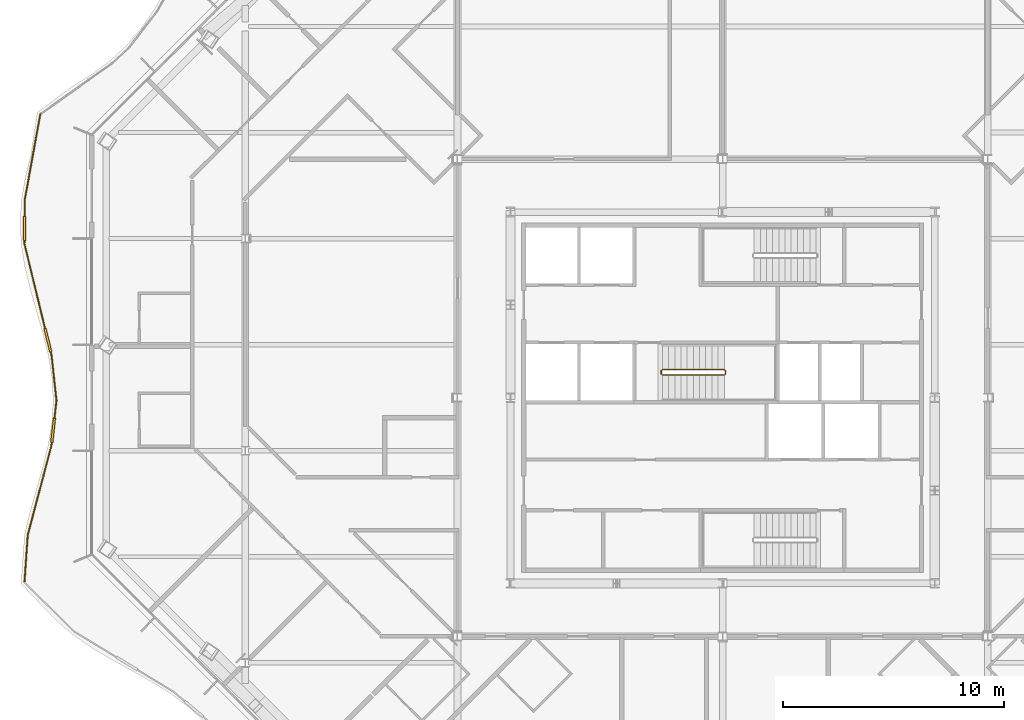
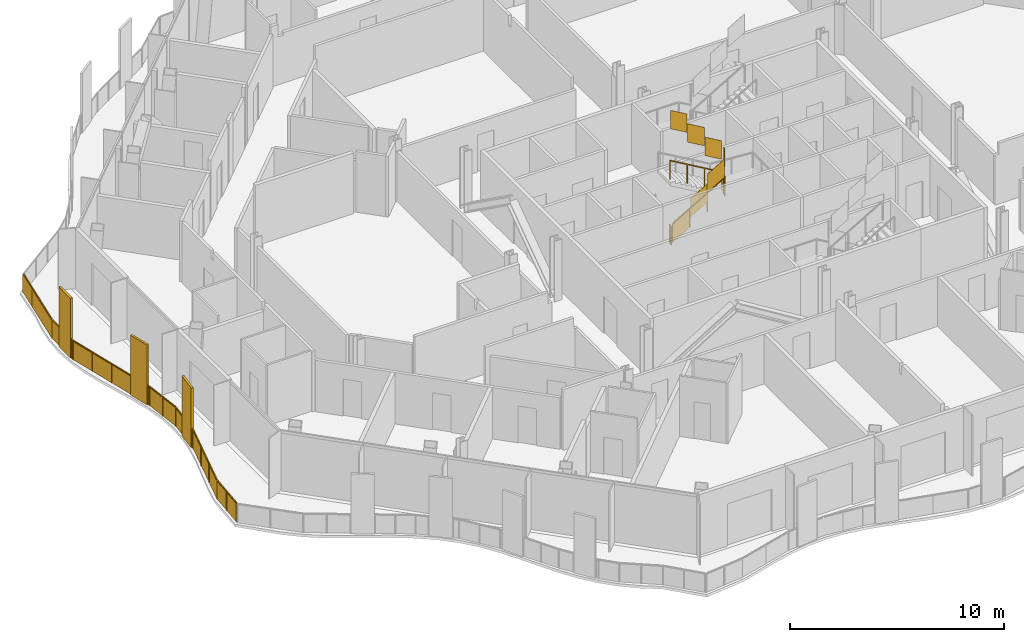
# One storey, part 17 of 21: 3 railings.
"""IFC4 building model written with IfcOpenShell, lengths in metres."""

from ifc_helpers import new_model, si_unit, direction, frame, origin, origin_2d, place, context, subcontext, project, spatial, polyline, rectangle, outline, extrude, material, type_object, element, save


model = new_model("IFC4")

# Units and contexts
model_context = context("Model", 3, precision=1e-05, world=origin(), true_north=direction((0.0, 1.0)))
body_context = subcontext(model_context, "Body", "Model", "MODEL_VIEW")
ifc_project = project(units=[si_unit("LENGTHUNIT", "METRE"), si_unit("AREAUNIT", "SQUARE_METRE"), si_unit("VOLUMEUNIT", "CUBIC_METRE"), si_unit("PLANEANGLEUNIT", "RADIAN"), si_unit("MASSUNIT", "GRAM", prefix="KILO")], contexts=[model_context])

# Site, building, storey
site_placement = place(None, origin())
site = spatial("IfcSite", under=ifc_project, at=site_placement, CompositionType="ELEMENT")
building_placement = place(site_placement, origin())
building = spatial("IfcBuilding", under=site, at=building_placement, Name="Cairn Pilgrim Tower", CompositionType="ELEMENT")
storey_placement = place(building_placement, frame((0.0, 0.0, 172.199951171875)))
storey = spatial("IfcBuildingStorey", under=building, at=storey_placement, Name="L43", CompositionType="ELEMENT", Elevation=172.199951171875)

# Railings
ifc_material_1 = material(Name="Bronze anodised aluminium rail, posts and fin screens with laminated glass infill", Category="aluminium")
railing_type_1 = type_object("IfcRailingType", Name="BALCONY GUARD WITH FIN SCREENS", PredefinedType="GUARDRAIL", material=ifc_material_1)
railing_1_placement = place(storey_placement, frame((-23.68212890625, 15.232177734375, 0.0)))
element("IfcRailing", 1, at=railing_1_placement, inside=storey, type_object=railing_type_1, Name="Balcony guard BGF-7 with fin screens", PredefinedType="GUARDRAIL", context=body_context, shape_type="SweptSolid", body=[
    extrude(rectangle(XDim=0.050048828125, YDim=0.050048828125, at=origin_2d()), frame((0.0, 0.0, 1.0751953125), z_axis=(-0.178176650174, -0.983998516936, 0.0), x_axis=(0.983998516936, -0.178176650174, 0.0)), (0.0, 0.0, 1.0), 3.940673828125),
    extrude(rectangle(XDim=1.10009765625, YDim=0.110107421875, at=origin_2d()), frame((-0.71142578125, -5.167236328125, 0.0), z_axis=(0.0, 0.0, 1.0), x_axis=(-0.007239074117, -0.99997379756, 0.0)), (0.0, 0.0, 1.0), 3.39990234375),
    extrude(rectangle(XDim=0.050048828125, YDim=0.050048828125, at=origin_2d()), frame((-0.7021484375, -3.877685546875, 1.0751953125), z_axis=(-0.007239074117, -0.99997379756, 0.0), x_axis=(0.99997379756, -0.007239074117, 0.0)), (0.0, 0.0, 1.0), 0.73974609375),
    extrude(rectangle(XDim=0.050048828125, YDim=0.050048828125, at=origin_2d()), frame((-0.715576171875, -5.71728515625, 1.0751953125), z_axis=(-0.007239074117, -0.99997379756, 0.0), x_axis=(0.99997379756, -0.007239074117, 0.0)), (0.0, 0.0, 1.0), 0.150146484375),
    extrude(rectangle(XDim=1.10009765625, YDim=0.110107421875, at=origin_2d()), frame((0.3447265625, -10.231201171875, 0.0), z_axis=(0.0, 0.0, 1.0), x_axis=(0.236333577373, -0.971671981795, 0.0)), (0.0, 0.0, 1.0), 3.39990234375),
    extrude(rectangle(XDim=0.050048828125, YDim=0.050048828125, at=origin_2d()), frame((-0.716552734375, -5.867431640625, 1.0751953125), z_axis=(0.236333577373, -0.971671981795, 0.0), x_axis=(0.971671981795, 0.236333577373, 0.0)), (0.0, 0.0, 1.0), 3.941162109375),
    extrude(rectangle(XDim=0.050048828125, YDim=0.050048828125, at=origin_2d()), frame((0.474853515625, -10.765625, 1.0751953125), z_axis=(0.236333577373, -0.971671981795, 0.0), x_axis=(0.971671981795, 0.236333577373, 0.0)), (0.0, 0.0, 1.0), 0.14990234375),
    extrude(rectangle(XDim=0.050048828125, YDim=0.050048828125, at=origin_2d()), frame((0.51025390625, -10.911376953125, 1.0751953125), z_axis=(0.108115215138, -0.994138370779, 0.0), x_axis=(0.994138370779, 0.108115215138, 0.0)), (0.0, 0.0, 1.0), 2.059326171875),
    extrude(rectangle(XDim=1.10009765625, YDim=0.110107421875, at=origin_2d()), frame((0.580322265625, -14.311767578125, 0.0), z_axis=(0.0, 0.0, 1.0), x_axis=(-0.112147058151, -0.99369162085, 0.0)), (0.0, 0.0, 1.0), 3.39990234375),
    extrude(rectangle(XDim=0.050048828125, YDim=0.050048828125, at=origin_2d()), frame((0.73291015625, -12.958740234375, 1.0751953125), z_axis=(-0.112147058151, -0.99369162085, 0.0), x_axis=(0.99369162085, -0.112147058151, 0.0)), (0.0, 0.0, 1.0), 0.8115234375),
    extrude(rectangle(XDim=0.050048828125, YDim=0.050048828125, at=origin_2d()), frame((0.5185546875, -14.858154296875, 1.0751953125), z_axis=(-0.112147058151, -0.99369162085, 0.0), x_axis=(0.99369162085, -0.112147058151, 0.0)), (0.0, 0.0, 1.0), 0.150146484375),
    extrude(rectangle(XDim=0.050048828125, YDim=0.050048828125, at=origin_2d()), frame((0.501708984375, -15.00732421875, 1.0751953125), z_axis=(-0.255727114517, -0.966749007189, 0.0), x_axis=(0.966749007189, -0.255727114517, 0.0)), (0.0, 0.0, 1.0), 4.177734375),
    extrude(rectangle(XDim=0.050048828125, YDim=0.050048828125, at=origin_2d()), frame((-0.566650390625, -19.046142578125, 1.0751953125), z_axis=(-0.069541650189, -0.997579048942, 0.0), x_axis=(0.997579048942, -0.069541650189, 0.0)), (0.0, 0.0, 1.0), 2.095947265625),
    extrude(rectangle(XDim=0.050048828125, YDim=0.050048828125, at=origin_2d()), origin(), (0.0, 0.0, 1.0), 1.050048828125),
    extrude(rectangle(XDim=0.050048828125, YDim=0.050048828125, at=origin_2d()), frame((-0.234130859375, -1.29248046875, 0.0)), (0.0, 0.0, 1.0), 1.050048828125),
    extrude(rectangle(XDim=0.050048828125, YDim=0.050048828125, at=origin_2d()), frame((-0.468017578125, -2.585205078125, 0.0)), (0.0, 0.0, 1.0), 1.050048828125),
    extrude(rectangle(XDim=0.050048828125, YDim=0.050048828125, at=origin_2d()), frame((-0.7021484375, -3.877685546875, 0.0)), (0.0, 0.0, 1.0), 1.050048828125),
    extrude(rectangle(XDim=0.050048828125, YDim=0.050048828125, at=origin_2d()), frame((-0.707275390625, -4.59228515625, 0.0)), (0.0, 0.0, 1.0), 1.050048828125),
    extrude(rectangle(XDim=0.050048828125, YDim=0.050048828125, at=origin_2d()), frame((-0.715576171875, -5.742431640625, 0.0)), (0.0, 0.0, 1.0), 1.050048828125),
    extrude(rectangle(XDim=0.050048828125, YDim=0.050048828125, at=origin_2d()), frame((-0.716552734375, -5.867431640625, 0.0)), (0.0, 0.0, 1.0), 1.050048828125),
    extrude(rectangle(XDim=0.050048828125, YDim=0.050048828125, at=origin_2d()), frame((-0.407958984375, -7.1357421875, 0.0)), (0.0, 0.0, 1.0), 1.050048828125),
    extrude(rectangle(XDim=0.050048828125, YDim=0.050048828125, at=origin_2d()), frame((-0.099609375, -8.404052734375, 0.0)), (0.0, 0.0, 1.0), 1.050048828125),
    extrude(rectangle(XDim=0.050048828125, YDim=0.050048828125, at=origin_2d()), frame((0.208984375, -9.672607421875, 0.0)), (0.0, 0.0, 1.0), 1.050048828125),
    extrude(rectangle(XDim=0.050048828125, YDim=0.050048828125, at=origin_2d()), frame((0.480712890625, -10.7900390625, 0.0)), (0.0, 0.0, 1.0), 1.050048828125),
    extrude(rectangle(XDim=0.050048828125, YDim=0.050048828125, at=origin_2d()), frame((0.51025390625, -10.911376953125, 0.0)), (0.0, 0.0, 1.0), 1.050048828125),
    extrude(rectangle(XDim=0.050048828125, YDim=0.050048828125, at=origin_2d()), frame((0.62158203125, -11.93505859375, 0.0)), (0.0, 0.0, 1.0), 1.050048828125),
    extrude(rectangle(XDim=0.050048828125, YDim=0.050048828125, at=origin_2d()), frame((0.73291015625, -12.958740234375, 0.0)), (0.0, 0.0, 1.0), 1.050048828125),
    extrude(rectangle(XDim=0.050048828125, YDim=0.050048828125, at=origin_2d()), frame((0.644775390625, -13.740234375, 0.0)), (0.0, 0.0, 1.0), 1.050048828125),
    extrude(rectangle(XDim=0.050048828125, YDim=0.050048828125, at=origin_2d()), frame((0.515625, -14.883056640625, 0.0)), (0.0, 0.0, 1.0), 1.050048828125),
    extrude(rectangle(XDim=0.050048828125, YDim=0.050048828125, at=origin_2d()), frame((0.501708984375, -15.00732421875, 0.0)), (0.0, 0.0, 1.0), 1.050048828125),
    extrude(rectangle(XDim=0.050048828125, YDim=0.050048828125, at=origin_2d()), frame((0.1455078125, -16.353515625, 0.0)), (0.0, 0.0, 1.0), 1.050048828125),
    extrude(rectangle(XDim=0.050048828125, YDim=0.050048828125, at=origin_2d()), frame((-0.21044921875, -17.699951171875, 0.0)), (0.0, 0.0, 1.0), 1.050048828125),
    extrude(rectangle(XDim=0.050048828125, YDim=0.050048828125, at=origin_2d()), frame((-0.566650390625, -19.046142578125, 0.0)), (0.0, 0.0, 1.0), 1.050048828125),
    extrude(rectangle(XDim=0.050048828125, YDim=0.050048828125, at=origin_2d()), frame((-0.6396484375, -20.091552734375, 0.0)), (0.0, 0.0, 1.0), 1.050048828125),
    extrude(rectangle(XDim=0.050048828125, YDim=0.050048828125, at=origin_2d()), frame((-0.71240234375, -21.136962890625, 0.0)), (0.0, 0.0, 1.0), 1.050048828125),
    extrude(outline(polyline([(0.02490234375, 0.0), (1.28857421875, 0.0), (1.28857421875, 1.050048828125), (0.02490234375, 1.050048828125), (0.02490234375, 0.0)])), frame((0.005859375, -0.0009765625, 0.0), z_axis=(-0.983998516936, 0.178176650174, 0.0), x_axis=(-0.178176650174, -0.983998516936, 0.0)), (0.0, 0.0, 1.0), 0.011962890625),
    extrude(outline(polyline([(0.02490234375, 0.0), (1.28857421875, 0.0), (1.28857421875, 1.050048828125), (0.02490234375, 1.050048828125), (0.02490234375, 0.0)])), frame((-0.228271484375, -1.293701171875, 0.0), z_axis=(-0.983998516936, 0.178176650174, 0.0), x_axis=(-0.178176650174, -0.983998516936, 0.0)), (0.0, 0.0, 1.0), 0.011962890625),
    extrude(outline(polyline([(0.02490234375, 0.0), (1.28857421875, 0.0), (1.28857421875, 1.050048828125), (0.02490234375, 1.050048828125), (0.02490234375, 0.0)])), frame((-0.462158203125, -2.586181640625, 0.0), z_axis=(-0.983998516936, 0.178176650174, 0.0), x_axis=(-0.178176650174, -0.983998516936, 0.0)), (0.0, 0.0, 1.0), 0.011962890625),
    extrude(outline(polyline([(0.02490234375, 0.0), (0.689697265625, 0.0), (0.689697265625, 1.050048828125), (0.02490234375, 1.050048828125), (0.02490234375, 0.0)])), frame((-0.6962890625, -3.877685546875, 0.0), z_axis=(-0.99997379756, 0.007239074117, 0.0), x_axis=(-0.007239074117, -0.99997379756, 0.0)), (0.0, 0.0, 1.0), 0.011962890625),
    extrude(outline(polyline([(0.02490234375, 0.0), (0.10009765625, 0.0), (0.10009765625, 1.050048828125), (0.02490234375, 1.050048828125), (0.02490234375, 0.0)])), frame((-0.709716796875, -5.742431640625, 0.0), z_axis=(-0.99997379756, 0.007239074117, 0.0), x_axis=(-0.007239074117, -0.99997379756, 0.0)), (0.0, 0.0, 1.0), 0.011962890625),
    extrude(outline(polyline([(0.02490234375, 0.0), (1.2802734375, 0.0), (1.2802734375, 1.050048828125), (0.02490234375, 1.050048828125), (0.02490234375, 0.0)])), frame((-0.710693359375, -5.865966796875, 0.0), z_axis=(-0.971671981795, -0.236333577373, 0.0), x_axis=(0.236333577373, -0.971671981795, 0.0)), (0.0, 0.0, 1.0), 0.011962890625),
    extrude(outline(polyline([(0.02490234375, 0.0), (1.2802734375, 0.0), (1.2802734375, 1.050048828125), (0.02490234375, 1.050048828125), (0.02490234375, 0.0)])), frame((-0.40234375, -7.13427734375, 0.0), z_axis=(-0.971671981795, -0.236333577373, 0.0), x_axis=(0.236333577373, -0.971671981795, 0.0)), (0.0, 0.0, 1.0), 0.011962890625),
    extrude(outline(polyline([(0.02490234375, 0.0), (1.2802734375, 0.0), (1.2802734375, 1.050048828125), (0.02490234375, 1.050048828125), (0.02490234375, 0.0)])), frame((-0.09375, -8.40283203125, 0.0), z_axis=(-0.971671981795, -0.236333577373, 0.0), x_axis=(0.236333577373, -0.971671981795, 0.0)), (0.0, 0.0, 1.0), 0.011962890625),
    extrude(outline(polyline([(0.02490234375, 0.0), (0.099853515625, 0.0), (0.099853515625, 1.050048828125), (0.02490234375, 1.050048828125), (0.02490234375, 0.0)])), frame((0.486572265625, -10.78857421875, 0.0), z_axis=(-0.971671981795, -0.236333577373, 0.0), x_axis=(0.236333577373, -0.971671981795, 0.0)), (0.0, 0.0, 1.0), 0.011962890625),
    extrude(outline(polyline([(0.02490234375, 0.0), (1.004638671875, 0.0), (1.004638671875, 1.050048828125), (0.02490234375, 1.050048828125), (0.02490234375, 0.0)])), frame((0.51611328125, -10.91064453125, 0.0), z_axis=(-0.994138370779, -0.108115215138, 0.0), x_axis=(0.108115215138, -0.994138370779, 0.0)), (0.0, 0.0, 1.0), 0.011962890625),
    extrude(outline(polyline([(0.02490234375, 0.0), (1.004638671875, 0.0), (1.004638671875, 1.050048828125), (0.02490234375, 1.050048828125), (0.02490234375, 0.0)])), frame((0.62744140625, -11.934326171875, 0.0), z_axis=(-0.994138370779, -0.108115215138, 0.0), x_axis=(0.108115215138, -0.994138370779, 0.0)), (0.0, 0.0, 1.0), 0.011962890625),
    extrude(outline(polyline([(0.02490234375, 0.0), (0.761474609375, 0.0), (0.761474609375, 1.050048828125), (0.02490234375, 1.050048828125), (0.02490234375, 0.0)])), frame((0.73876953125, -12.95947265625, 0.0), z_axis=(-0.99369162085, 0.112147058151, 0.0), x_axis=(-0.112147058151, -0.99369162085, 0.0)), (0.0, 0.0, 1.0), 0.011962890625),
    extrude(outline(polyline([(0.02490234375, 0.0), (0.10009765625, 0.0), (0.10009765625, 1.050048828125), (0.02490234375, 1.050048828125), (0.02490234375, 0.0)])), frame((0.521728515625, -14.8837890625, 0.0), z_axis=(-0.99369162085, 0.112147058151, 0.0), x_axis=(-0.112147058151, -0.99369162085, 0.0)), (0.0, 0.0, 1.0), 0.011962890625),
    extrude(outline(polyline([(0.02490234375, 0.0), (1.367431640625, 0.0), (1.367431640625, 1.050048828125), (0.02490234375, 1.050048828125), (0.02490234375, 0.0)])), frame((0.507568359375, -15.0087890625, 0.0), z_axis=(-0.966749007189, 0.255727114517, 0.0), x_axis=(-0.255727114517, -0.966749007189, 0.0)), (0.0, 0.0, 1.0), 0.011962890625),
    extrude(outline(polyline([(0.02490234375, 0.0), (1.367431640625, 0.0), (1.367431640625, 1.050048828125), (0.02490234375, 1.050048828125), (0.02490234375, 0.0)])), frame((0.1513671875, -16.355224609375, 0.0), z_axis=(-0.966749007189, 0.255727114517, 0.0), x_axis=(-0.255727114517, -0.966749007189, 0.0)), (0.0, 0.0, 1.0), 0.011962890625),
    extrude(outline(polyline([(0.02490234375, 0.0), (1.367431640625, 0.0), (1.367431640625, 1.050048828125), (0.02490234375, 1.050048828125), (0.02490234375, 0.0)])), frame((-0.204833984375, -17.701416015625, 0.0), z_axis=(-0.966749007189, 0.255727114517, 0.0), x_axis=(-0.255727114517, -0.966749007189, 0.0)), (0.0, 0.0, 1.0), 0.011962890625),
    extrude(outline(polyline([(0.02490234375, 0.0), (1.02294921875, 0.0), (1.02294921875, 1.050048828125), (0.02490234375, 1.050048828125), (0.02490234375, 0.0)])), frame((-0.560791015625, -19.046630859375, 0.0), z_axis=(-0.997579048942, 0.069541650189, 0.0), x_axis=(-0.069541650189, -0.997579048942, 0.0)), (0.0, 0.0, 1.0), 0.011962890625),
    extrude(outline(polyline([(0.02490234375, 0.0), (1.02294921875, 0.0), (1.02294921875, 1.050048828125), (0.02490234375, 1.050048828125), (0.02490234375, 0.0)])), frame((-0.633544921875, -20.092041015625, 0.0), z_axis=(-0.997579048942, 0.069541650189, 0.0), x_axis=(-0.069541650189, -0.997579048942, 0.0)), (0.0, 0.0, 1.0), 0.011962890625),
])
ifc_material_2 = material(Name="Painted steel", Category="steel")
railing_type_2 = type_object("IfcRailingType", Name="STAIR GUARD 1100", PredefinedType="GUARDRAIL", material=ifc_material_2)
railing_2_placement = place(storey_placement, frame((4.47509765625, 3.425048828125, 0.16357421875)))
element("IfcRailing", 2, at=railing_2_placement, inside=storey, type_object=railing_type_2, Name="L43 ST-B stair guard 1", PredefinedType="GUARDRAIL", context=body_context, shape_type="SweptSolid", body=[
    extrude(rectangle(XDim=0.048095703125, YDim=0.048095703125, at=origin_2d()), frame((0.0, 0.0, 1.076171875), z_axis=(0.863341702679, 0.0, 0.504619762213), x_axis=(0.0, 1.0, 0.0)), (0.0, 0.0, 1.0), 3.242919921875),
    extrude(rectangle(XDim=0.048095703125, YDim=0.048095703125, at=origin_2d()), frame((2.7998046875, 0.0, 2.71240234375), z_axis=(0.707106781187, 0.707106781187, 0.0), x_axis=(-0.707106781187, 0.707106781187, 0.0)), (0.0, 0.0, 1.0), 0.07080078125),
    extrude(rectangle(XDim=0.048095703125, YDim=0.048095703125, at=origin_2d()), frame((2.849853515625, 0.050048828125, 2.71240234375), z_axis=(0.0, 1.0, 0.0), x_axis=(-1.0, 0.0, 0.0)), (0.0, 0.0, 1.0), 0.14990234375),
    extrude(rectangle(XDim=0.048095703125, YDim=0.048095703125, at=origin_2d()), frame((2.849853515625, 0.199951171875, 2.71240234375), z_axis=(-0.280808744504, 0.280808744504, 0.917765164963), x_axis=(-0.707106781187, -0.707106781187, 0.0)), (0.0, 0.0, 1.0), 0.17822265625),
    extrude(rectangle(XDim=0.048095703125, YDim=0.048095703125, at=origin_2d()), frame((2.7998046875, 0.25, 2.8759765625), z_axis=(-0.863341702679, 0.0, 0.504619762213), x_axis=(0.0, -1.0, 0.0)), (0.0, 0.0, 1.0), 3.242919921875),
    extrude(rectangle(XDim=0.0419921875, YDim=0.0419921875, at=origin_2d()), origin(), (0.0, 0.0, 1.0), 1.052001953125),
    extrude(rectangle(XDim=0.0419921875, YDim=0.0419921875, at=origin_2d()), frame((0.933349609375, 0.0, 0.54541015625)), (0.0, 0.0, 1.0), 1.052001953125),
    extrude(rectangle(XDim=0.0419921875, YDim=0.0419921875, at=origin_2d()), frame((1.866455078125, 0.0, 1.091064453125)), (0.0, 0.0, 1.0), 1.052001953125),
    extrude(rectangle(XDim=0.0419921875, YDim=0.0419921875, at=origin_2d()), frame((2.7998046875, 0.0, 1.636474609375)), (0.0, 0.0, 1.0), 1.052001953125),
    extrude(rectangle(XDim=0.0419921875, YDim=0.0419921875, at=origin_2d()), frame((2.849853515625, 0.050048828125, 1.636474609375)), (0.0, 0.0, 1.0), 1.052001953125),
    extrude(rectangle(XDim=0.0419921875, YDim=0.0419921875, at=origin_2d()), frame((2.849853515625, 0.199951171875, 1.636474609375)), (0.0, 0.0, 1.0), 1.052001953125),
    extrude(rectangle(XDim=0.0419921875, YDim=0.0419921875, at=origin_2d()), frame((2.7998046875, 0.25, 1.800048828125)), (0.0, 0.0, 1.0), 1.052001953125),
    extrude(rectangle(XDim=0.0419921875, YDim=0.0419921875, at=origin_2d()), frame((1.866455078125, 0.25, 2.345458984375)), (0.0, 0.0, 1.0), 1.052001953125),
    extrude(rectangle(XDim=0.0419921875, YDim=0.0419921875, at=origin_2d()), frame((0.933349609375, 0.25, 2.89111328125)), (0.0, 0.0, 1.0), 1.052001953125),
    extrude(rectangle(XDim=0.0419921875, YDim=0.0419921875, at=origin_2d()), frame((0.0, 0.25, 3.4365234375)), (0.0, 0.0, 1.0), 1.052001953125),
    extrude(outline(polyline([(0.02099609375, 0.01220703125), (0.912353515625, 0.533203125), (0.912353515625, 1.585205078125), (0.02099609375, 1.064208984375), (0.02099609375, 0.01220703125)])), frame((0.0, 0.005859375, 0.0), z_axis=(0.0, -1.0, 0.0), x_axis=(1.0, 0.0, 0.0)), (0.0, 0.0, 1.0), 0.011962890625),
    extrude(outline(polyline([(0.02099609375, 0.557861328125), (0.912353515625, 1.07861328125), (0.912353515625, 2.130615234375), (0.02099609375, 1.60986328125), (0.02099609375, 0.557861328125)])), frame((0.933349609375, 0.005859375, 0.54541015625), z_axis=(0.0, -1.0, 0.0), x_axis=(1.0, 0.0, 0.0)), (0.0, 0.0, 1.0), 0.011962890625),
    extrude(outline(polyline([(0.02099609375, 1.103271484375), (0.912353515625, 1.624267578125), (0.912353515625, 2.67626953125), (0.02099609375, 2.1552734375), (0.02099609375, 1.103271484375)])), frame((1.866455078125, 0.005859375, 1.091064453125), z_axis=(0.0, -1.0, 0.0), x_axis=(1.0, 0.0, 0.0)), (0.0, 0.0, 1.0), 0.011962890625),
    extrude(outline(polyline([(0.02099609375, 1.636474609375), (0.12890625, 1.636474609375), (0.12890625, 2.6884765625), (0.02099609375, 2.6884765625), (0.02099609375, 1.636474609375)])), frame((2.84375, 0.050048828125, 1.636474609375), z_axis=(1.0, 0.0, 0.0), x_axis=(0.0, 1.0, 0.0)), (0.0, 0.0, 1.0), 0.011962890625),
    extrude(outline(polyline([(0.02099609375, 1.812255859375), (0.912353515625, 2.333251953125), (0.912353515625, 3.38525390625), (0.02099609375, 2.8642578125), (0.02099609375, 1.812255859375)])), frame((2.7998046875, 0.244140625, 1.800048828125), z_axis=(0.0, 1.0, 0.0), x_axis=(-1.0, 0.0, 0.0)), (0.0, 0.0, 1.0), 0.011962890625),
    extrude(outline(polyline([(0.02099609375, 2.35791015625), (0.912353515625, 2.878662109375), (0.912353515625, 3.9306640625), (0.02099609375, 3.409912109375), (0.02099609375, 2.35791015625)])), frame((1.866455078125, 0.244140625, 2.345458984375), z_axis=(0.0, 1.0, 0.0), x_axis=(-1.0, 0.0, 0.0)), (0.0, 0.0, 1.0), 0.011962890625),
    extrude(outline(polyline([(0.02099609375, 2.9033203125), (0.912353515625, 3.42431640625), (0.912353515625, 4.476318359375), (0.02099609375, 3.955322265625), (0.02099609375, 2.9033203125)])), frame((0.933349609375, 0.244140625, 2.89111328125), z_axis=(0.0, 1.0, 0.0), x_axis=(-1.0, 0.0, 0.0)), (0.0, 0.0, 1.0), 0.011962890625),
])
railing_3_placement = place(storey_placement, frame((4.425048828125, 3.47509765625, 0.0)))
element("IfcRailing", 3, at=railing_3_placement, inside=storey, type_object=railing_type_2, Name="L43 ST-B stair guard 2", PredefinedType="GUARDRAIL", context=body_context, shape_type="SweptSolid", body=[
    extrude(rectangle(XDim=0.048095703125, YDim=0.048095703125, at=origin_2d()), frame((0.0, 0.0, 1.076171875), z_axis=(0.0, 1.0, 0.0), x_axis=(-1.0, 0.0, 0.0)), (0.0, 0.0, 1.0), 0.14990234375),
    extrude(rectangle(XDim=0.0419921875, YDim=0.0419921875, at=origin_2d()), origin(), (0.0, 0.0, 1.0), 1.052001953125),
    extrude(rectangle(XDim=0.0419921875, YDim=0.0419921875, at=origin_2d()), frame((0.0, 0.14990234375, 0.0)), (0.0, 0.0, 1.0), 1.052001953125),
    extrude(outline(polyline([(0.02099609375, 0.0), (0.12890625, 0.0), (0.12890625, 1.052001953125), (0.02099609375, 1.052001953125), (0.02099609375, 0.0)])), frame((-0.005859375, 0.0, 0.0), z_axis=(1.0, 0.0, 0.0), x_axis=(0.0, 1.0, 0.0)), (0.0, 0.0, 1.0), 0.011962890625),
])

save(model, "model.ifc")
